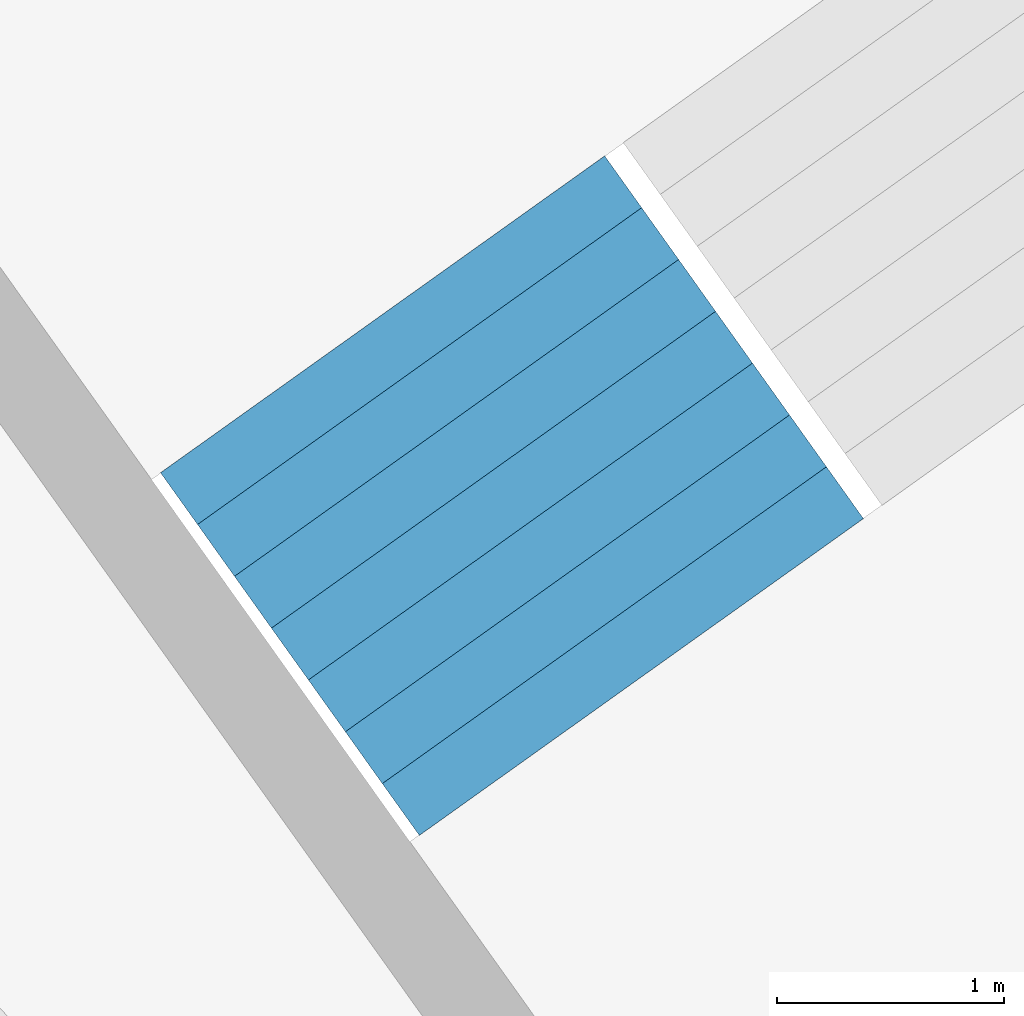
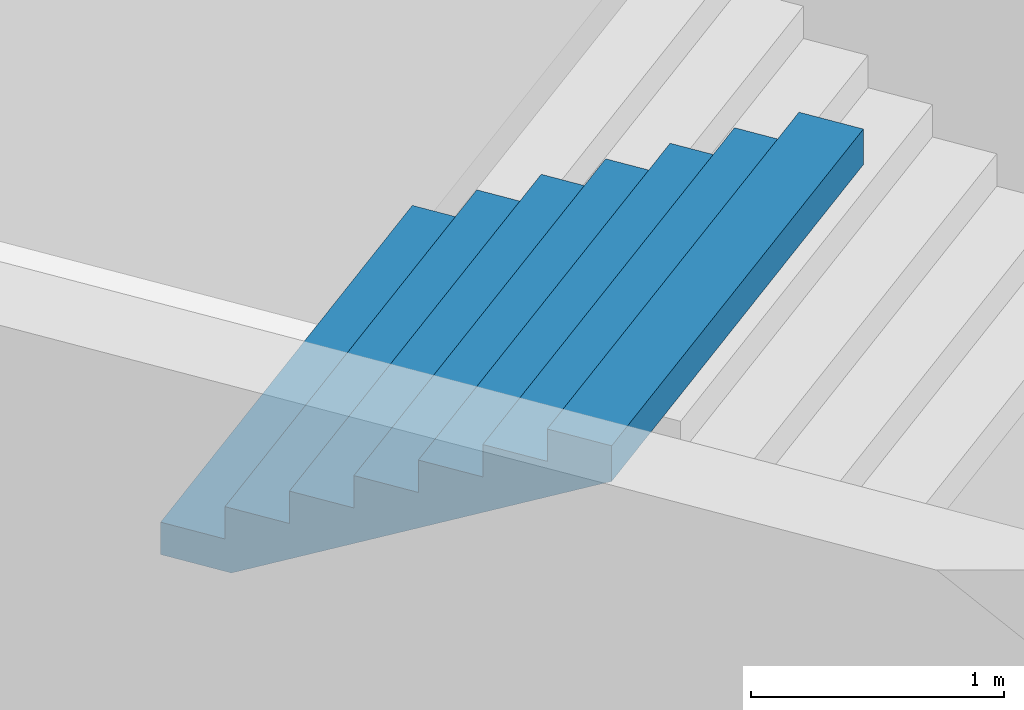
# One storey, part 42 of 73: 1 stair flight, 1 element without a shape of its own.
"""IFC4 building model written with IfcOpenShell, lengths in metres."""

import ifcopenshell
import ifcopenshell.guid

model = None  # the IFC model being written
_history = None  # IfcOwnerHistory: only IFC2X3 demands one
_inside = {}  # id of a spatial element -> (the spatial element, [elements in it])
_under = {}  # id of a project, library or spatial element -> (it, [spatial elements below it])
_declared = {}  # id of a project -> (the project, [libraries it declares])
_typed = {}  # id of a type object -> (the type object, [elements of that type])
_made_of = {}  # id of a material, layer set ... -> (it, [elements and type objects made of it])


def new_model(schema):
    """Start an empty IFC model of exactly this schema.

    Asked for "IFC4X3", IfcOpenShell would pick the latest addendum, in which some entities
    have other attributes; the version numbers below select the first issue.
    IFC2X3 requires an IfcOwnerHistory on every rooted entity: one is made here for all.
    """
    global model, _history
    if schema == "IFC4X3":
        model = ifcopenshell.file(schema_version=(4, 3, 0, 0))
    else:
        model = ifcopenshell.file(schema=schema)
    _inside.clear()
    _under.clear()
    _declared.clear()
    _typed.clear()
    _made_of.clear()
    _history = None
    if model.schema == "IFC2X3":
        org = make("IfcOrganization", Name="unknown")
        user = make(
            "IfcPersonAndOrganization",
            ThePerson=make("IfcPerson", FamilyName="unknown"),
            TheOrganization=org,
        )
        app = make(
            "IfcApplication",
            ApplicationDeveloper=org,
            Version="unknown",
            ApplicationFullName="unknown",
            ApplicationIdentifier="unknown",
        )
        _history = make(
            "IfcOwnerHistory",
            OwningUser=user,
            OwningApplication=app,
            ChangeAction="ADDED",
            CreationDate=0,
        )
    return model


def make(cls, **values):
    """One entity of the class cls with the attributes given. An attribute that is None is left unset."""
    return model.create_entity(
        cls, **{name: value for name, value in values.items() if value is not None}
    )


def rooted(cls, **values):
    """An entity with a GlobalId (a new one), such as an element, a storey or a relation."""
    return make(cls, GlobalId=ifcopenshell.guid.new(), OwnerHistory=_history, **values)


def si_unit(unit_type, name, prefix=None):
    """IfcSIUnit, for example si_unit("LENGTHUNIT", "METRE", prefix="MILLI")."""
    return make("IfcSIUnit", UnitType=unit_type, Prefix=prefix, Name=name)


def assignment(units):
    """IfcUnitAssignment: the units of a project."""
    return None if units is None else make("IfcUnitAssignment", Units=units)


def point(xyz):
    """IfcCartesianPoint."""
    return None if xyz is None else make("IfcCartesianPoint", Coordinates=xyz)


def direction(xyz):
    """IfcDirection."""
    return None if xyz is None else make("IfcDirection", DirectionRatios=xyz)


def frame(location, z_axis=None, x_axis=None):
    """IfcAxis2Placement3D, a coordinate frame: its origin and axes. An axis left out is left unset."""
    return make(
        "IfcAxis2Placement3D",
        Location=point(location),
        Axis=direction(z_axis),
        RefDirection=direction(x_axis),
    )


def origin():
    """The frame at (0, 0, 0) with its axes left unset."""
    return frame((0.0, 0.0, 0.0))


def place(relative_to, where):
    """IfcLocalPlacement: puts the frame where relative to a parent placement (None: the world)."""
    return make(
        "IfcLocalPlacement", PlacementRelTo=relative_to, RelativePlacement=where
    )


def context(
    kind, dimensions, precision=None, world=None, true_north=None, identifier=None
):
    """IfcGeometricRepresentationContext, for example the 3D "Model" context."""
    return make(
        "IfcGeometricRepresentationContext",
        ContextIdentifier=identifier,
        ContextType=kind,
        CoordinateSpaceDimension=dimensions,
        Precision=precision,
        WorldCoordinateSystem=world,
        TrueNorth=true_north,
    )


def subcontext(parent, identifier, kind, view, scale=None):
    """IfcGeometricRepresentationSubContext, for example "Body" below "Model"."""
    return make(
        "IfcGeometricRepresentationSubContext",
        ContextIdentifier=identifier,
        ContextType=kind,
        ParentContext=parent,
        TargetScale=scale,
        TargetView=view,
    )


def project(units=None, contexts=None):
    """IfcProject with its units and contexts."""
    return rooted(
        "IfcProject",
        Name="project",
        RepresentationContexts=contexts,
        UnitsInContext=assignment(units),
    )


def spatial(cls, under=None, at=None, **own):
    """A site, building, storey or space (cls), placed at a placement, below another one or the project."""
    s = rooted(cls, ObjectPlacement=at, **own)
    if under is not None:
        _under.setdefault(under.id(), (under, []))[1].append(s)
    return s


def point_list(points):
    """IfcCartesianPointList2D or 3D."""
    cls = (
        "IfcCartesianPointList2D" if len(points[0]) == 2 else "IfcCartesianPointList3D"
    )
    return make(cls, CoordList=points)


def triangles(points, corners, closed=None, point_numbers=None):
    """IfcTriangulatedFaceSet: each triangle names its three corners, points numbered from 1."""
    return make(
        "IfcTriangulatedFaceSet",
        Coordinates=point_list(points),
        Closed=closed,
        CoordIndex=corners,
        PnIndex=point_numbers,
    )


def shape(context_of_items, identifier, shape_type, items):
    """IfcShapeRepresentation: the items that make up one representation, for example the "Body"."""
    return make(
        "IfcShapeRepresentation",
        ContextOfItems=context_of_items,
        RepresentationIdentifier=identifier,
        RepresentationType=shape_type,
        Items=items,
    )


def material(Name=None, Category=None):
    """IfcMaterial."""
    return make("IfcMaterial", Name=Name, Category=Category)


def made_of(thing, what):
    """Note that an element or type object is made of a material, layer set ...; save() writes the relation."""
    if what is not None:
        _made_of.setdefault(what.id(), (what, []))[1].append(thing)
    return thing


def type_object(cls, material=None, **own):
    """A type object (cls), such as IfcWallType, which elements share."""
    return made_of(rooted(cls, **own), material)


def element(
    cls,
    number,
    at=None,
    inside=None,
    cuts=None,
    type_object=None,
    material=None,
    context=None,
    identifier="Body",
    shape_type=None,
    held_by="IfcProductDefinitionShape",
    body=None,
    shapes=None,
    **own,
):
    """One element of the class cls, such as IfcWall. Its Tag is "e" and its number.

    at: its placement. inside: the storey or other place that contains it. cuts: it is an
    opening in that element (IfcRelVoidsElement). A single representation is given by context,
    identifier, shape_type and body (its items); several are given by shapes. held_by: the class
    of the entity that holds the representations. save() writes the other relations.
    """
    e = rooted(cls, Tag="e%d" % number, ObjectPlacement=at, **own)
    if body is not None:
        shapes = [shape(context, identifier, shape_type, body)]
    if shapes is not None:
        e.Representation = make(held_by, Representations=shapes)
    if inside is not None:
        _inside.setdefault(inside.id(), (inside, []))[1].append(e)
    if cuts is not None:
        rooted(
            "IfcRelVoidsElement", RelatingBuildingElement=cuts, RelatedOpeningElement=e
        )
    if type_object is not None:
        _typed.setdefault(type_object.id(), (type_object, []))[1].append(e)
    return made_of(e, material)


def aggregate(whole, parts):
    """IfcRelAggregates: a whole, such as a stair, and the parts it consists of."""
    return rooted("IfcRelAggregates", RelatingObject=whole, RelatedObjects=parts)


def save(model, path):
    """Write the relations noted so far, then the file.

    IfcRelAggregates (storeys below a building ...), IfcRelContainedInSpatialStructure (elements
    in a storey), IfcRelDefinesByType, IfcRelAssociatesMaterial and IfcRelDeclares: one each for
    every whole, place, type object, material and project.
    """
    for whole, parts in _under.values():
        aggregate(whole, parts)
    for where, things in _inside.values():
        rooted(
            "IfcRelContainedInSpatialStructure",
            RelatedElements=things,
            RelatingStructure=where,
        )
    for kind, things in _typed.values():
        rooted("IfcRelDefinesByType", RelatedObjects=things, RelatingType=kind)
    for what, things in _made_of.values():
        rooted("IfcRelAssociatesMaterial", RelatedObjects=things, RelatingMaterial=what)
    for by, libraries in _declared.values():
        rooted("IfcRelDeclares", RelatingContext=by, RelatedDefinitions=libraries)
    model.write(path)


model = new_model("IFC4")

# Units and contexts
model_context = context("Model", 3, precision=1e-05, world=origin(), true_north=direction((0.0, 1.0)))
body_context = subcontext(model_context, "Body", "Model", "MODEL_VIEW")
ifc_project = project(units=[si_unit("LENGTHUNIT", "METRE"), si_unit("AREAUNIT", "SQUARE_METRE"), si_unit("VOLUMEUNIT", "CUBIC_METRE"), si_unit("PLANEANGLEUNIT", "RADIAN"), si_unit("MASSUNIT", "GRAM", prefix="KILO")], contexts=[model_context])

# Site, building, storey
site_placement = place(None, origin())
site = spatial("IfcSite", under=ifc_project, at=site_placement, CompositionType="ELEMENT")
building_placement = place(site_placement, origin())
building = spatial("IfcBuilding", under=site, at=building_placement, Name="Lantaw Convention Tower", CompositionType="ELEMENT")
storey_placement = place(building_placement, frame((0.0, 0.0, 22.0)))
storey = spatial("IfcBuildingStorey", under=building, at=storey_placement, Name="L03", CompositionType="ELEMENT", Elevation=22.0)

# Stair, stair flight
ifc_material = material(Name="Concrete C35/45", Category="concrete")
stair_type = type_object("IfcStairType", Name="Exit stair 2400 riser 156.25 in 4 flights", PredefinedType="HALF_TURN_STAIR", material=ifc_material)
stair_placement = place(storey_placement, origin())
stair = element("IfcStair", 1, at=stair_placement, inside=storey, type_object=stair_type, Name="Podium exit stair P6 L03", PredefinedType="HALF_TURN_STAIR")
stair_flight_type = type_object("IfcStairFlightType", Name="Stair flight 2400 riser 156.25", PredefinedType="STRAIGHT", material=ifc_material)
stair_flight_placement = place(storey_placement, frame((-20.143798828125, 26.087890625, 3.75), z_axis=(0.0, 0.0, 1.0), x_axis=(0.580702955711, -0.814115518356, 0.0)))
stair_flight = element("IfcStairFlight", 2, at=stair_flight_placement, type_object=stair_flight_type, Name="P6 flight 4", NumberOfRisers=8, NumberOfTreads=7, PredefinedType="STRAIGHT", RiserHeight=0.15625, TreadLength=0.28, context=body_context, shape_type="Tessellation", body=[
    triangles([(0.0, 1.199951171875, 0.0), (0.0, 1.199951171875, 0.15625), (0.28, 1.199951171875, 0.0), (0.28, 1.199951171875, 0.15625), (0.28, 1.199951171875, 0.3125), (0.3076200632058044, 1.199951171875, 0.0), (0.3076200632058044, 1.199951171875, 0.3125), (0.56, 1.199951171875, 0.14083701830033238), (0.56, 1.199951171875, 0.3125), (0.56, 1.199951171875, 0.46875), (0.8400000000000001, 1.199951171875, 0.29708701830033235), (0.8400000000000001, 1.199951171875, 0.46875), (0.8400000000000001, 1.199951171875, 0.625), (1.12, 1.199951171875, 0.45333701830033235), (1.12, 1.199951171875, 0.625), (1.12, 1.199951171875, 0.78125), (1.4000000000000001, 1.199951171875, 0.6095870183003324), (1.4000000000000001, 1.199951171875, 0.78125), (1.4000000000000001, 1.199951171875, 0.9375), (1.6800000000000002, 1.199951171875, 0.7658370183003324), (1.6800000000000002, 1.199951171875, 0.9375), (1.6800000000000002, 1.199951171875, 1.09375), (1.9600000000000002, 1.199951171875, 0.9220870183003324), (1.9600000000000002, 1.199951171875, 1.09375), (0.0, -1.199951171875, 0.0), (0.0, -1.199951171875, 0.15625), (0.28, -1.199951171875, 0.0), (0.28, -1.199951171875, 0.15625), (0.28, -1.199951171875, 0.3125), (0.3076200632058044, -1.199951171875, 0.0), (0.3076200632058044, -1.199951171875, 0.3125), (0.56, -1.199951171875, 0.14083701830033238), (0.56, -1.199951171875, 0.3125), (0.56, -1.199951171875, 0.46875), (0.8400000000000001, -1.199951171875, 0.29708701830033235), (0.8400000000000001, -1.199951171875, 0.46875), (0.8400000000000001, -1.199951171875, 0.625), (1.12, -1.199951171875, 0.45333701830033235), (1.12, -1.199951171875, 0.625), (1.12, -1.199951171875, 0.78125), (1.4000000000000001, -1.199951171875, 0.6095870183003324), (1.4000000000000001, -1.199951171875, 0.78125), (1.4000000000000001, -1.199951171875, 0.9375), (1.6800000000000002, -1.199951171875, 0.7658370183003324), (1.6800000000000002, -1.199951171875, 0.9375), (1.6800000000000002, -1.199951171875, 1.09375), (1.9600000000000002, -1.199951171875, 0.9220870183003324), (1.9600000000000002, -1.199951171875, 1.09375), (0.0, 0.239990234375, 0.15625), (0.0, 0.239990234375, 0.0), (0.0, 0.1919921875, 0.15625), (0.0, 0.1919921875, 0.0), (0.0, 0.143994140625, 0.15625), (0.0, 0.143994140625, 0.0), (0.0, 0.09599609375, 0.15625), (0.0, 0.09599609375, 0.0), (0.0, 0.047998046875, 0.15625), (0.0, 0.047998046875, 0.0), (0.0, 0.0, 0.15625), (0.0, 0.0, 0.0), (0.0, -0.047998046875, 0.15625), (0.0, -0.047998046875, 0.0), (0.0, -0.09599609375, 0.15625), (0.0, -0.09599609375, 0.0), (0.0, -0.143994140625, 0.15625), (0.0, -0.143994140625, 0.0), (0.0, -0.1919921875, 0.15625), (0.0, -0.1919921875, 0.0), (0.0, -0.239990234375, 0.15625), (0.0, -0.239990234375, 0.0), (0.28, 0.239990234375, 0.3125), (0.28, 0.239990234375, 0.15625), (0.28, 0.1919921875, 0.3125), (0.28, 0.1919921875, 0.15625), (0.28, 0.143994140625, 0.3125), (0.28, 0.143994140625, 0.15625), (0.28, 0.09599609375, 0.3125), (0.28, 0.09599609375, 0.15625), (0.28, 0.047998046875, 0.3125), (0.28, 0.047998046875, 0.15625), (0.28, 0.0, 0.3125), (0.28, 0.0, 0.15625), (0.28, -0.047998046875, 0.3125), (0.28, -0.047998046875, 0.15625), (0.28, -0.09599609375, 0.3125), (0.28, -0.09599609375, 0.15625), (0.28, -0.143994140625, 0.3125), (0.28, -0.143994140625, 0.15625), (0.28, -0.1919921875, 0.3125), (0.28, -0.1919921875, 0.15625), (0.28, -0.239990234375, 0.3125), (0.28, -0.239990234375, 0.15625), (0.56, 0.239990234375, 0.46875), (0.56, 0.239990234375, 0.3125), (0.56, 0.1919921875, 0.46875), (0.56, 0.1919921875, 0.3125), (0.56, 0.143994140625, 0.46875), (0.56, 0.143994140625, 0.3125), (0.56, 0.09599609375, 0.46875), (0.56, 0.09599609375, 0.3125), (0.56, 0.047998046875, 0.46875), (0.56, 0.047998046875, 0.3125), (0.56, 0.0, 0.46875), (0.56, 0.0, 0.3125), (0.56, -0.047998046875, 0.46875), (0.56, -0.047998046875, 0.3125), (0.56, -0.09599609375, 0.46875), (0.56, -0.09599609375, 0.3125), (0.56, -0.143994140625, 0.46875), (0.56, -0.143994140625, 0.3125), (0.56, -0.1919921875, 0.46875), (0.56, -0.1919921875, 0.3125), (0.56, -0.239990234375, 0.46875), (0.56, -0.239990234375, 0.3125), (0.8400000000000001, 0.239990234375, 0.625), (0.8400000000000001, 0.239990234375, 0.46875), (0.8400000000000001, 0.1919921875, 0.625), (0.8400000000000001, 0.1919921875, 0.46875), (0.8400000000000001, 0.143994140625, 0.625), (0.8400000000000001, 0.143994140625, 0.46875), (0.8400000000000001, 0.09599609375, 0.625), (0.8400000000000001, 0.09599609375, 0.46875), (0.8400000000000001, 0.047998046875, 0.625), (0.8400000000000001, 0.047998046875, 0.46875), (0.8400000000000001, 0.0, 0.625), (0.8400000000000001, 0.0, 0.46875), (0.8400000000000001, -0.047998046875, 0.625), (0.8400000000000001, -0.047998046875, 0.46875), (0.8400000000000001, -0.09599609375, 0.625), (0.8400000000000001, -0.09599609375, 0.46875), (0.8400000000000001, -0.143994140625, 0.625), (0.8400000000000001, -0.143994140625, 0.46875), (0.8400000000000001, -0.1919921875, 0.625), (0.8400000000000001, -0.1919921875, 0.46875), (0.8400000000000001, -0.239990234375, 0.625), (0.8400000000000001, -0.239990234375, 0.46875), (1.12, 0.239990234375, 0.78125), (1.12, 0.239990234375, 0.625), (1.12, 0.1919921875, 0.78125), (1.12, 0.1919921875, 0.625), (1.12, 0.143994140625, 0.78125), (1.12, 0.143994140625, 0.625), (1.12, 0.09599609375, 0.78125), (1.12, 0.09599609375, 0.625), (1.12, 0.047998046875, 0.78125), (1.12, 0.047998046875, 0.625), (1.12, 0.0, 0.78125), (1.12, 0.0, 0.625), (1.12, -0.047998046875, 0.78125), (1.12, -0.047998046875, 0.625), (1.12, -0.09599609375, 0.78125), (1.12, -0.09599609375, 0.625), (1.12, -0.143994140625, 0.78125), (1.12, -0.143994140625, 0.625), (1.12, -0.1919921875, 0.78125), (1.12, -0.1919921875, 0.625), (1.12, -0.239990234375, 0.78125), (1.12, -0.239990234375, 0.625), (1.4000000000000001, 0.239990234375, 0.9375), (1.4000000000000001, 0.239990234375, 0.78125), (1.4000000000000001, 0.1919921875, 0.9375), (1.4000000000000001, 0.1919921875, 0.78125), (1.4000000000000001, 0.143994140625, 0.9375), (1.4000000000000001, 0.143994140625, 0.78125), (1.4000000000000001, 0.09599609375, 0.9375), (1.4000000000000001, 0.09599609375, 0.78125), (1.4000000000000001, 0.047998046875, 0.9375), (1.4000000000000001, 0.047998046875, 0.78125), (1.4000000000000001, 0.0, 0.9375), (1.4000000000000001, 0.0, 0.78125), (1.4000000000000001, -0.047998046875, 0.9375), (1.4000000000000001, -0.047998046875, 0.78125), (1.4000000000000001, -0.09599609375, 0.9375), (1.4000000000000001, -0.09599609375, 0.78125), (1.4000000000000001, -0.143994140625, 0.9375), (1.4000000000000001, -0.143994140625, 0.78125), (1.4000000000000001, -0.1919921875, 0.9375), (1.4000000000000001, -0.1919921875, 0.78125), (1.4000000000000001, -0.239990234375, 0.9375), (1.4000000000000001, -0.239990234375, 0.78125), (1.6800000000000002, 0.239990234375, 1.09375), (1.6800000000000002, 0.239990234375, 0.9375), (1.6800000000000002, 0.1919921875, 1.09375), (1.6800000000000002, 0.1919921875, 0.9375), (1.6800000000000002, 0.143994140625, 1.09375), (1.6800000000000002, 0.143994140625, 0.9375), (1.6800000000000002, 0.09599609375, 1.09375), (1.6800000000000002, 0.09599609375, 0.9375), (1.6800000000000002, 0.047998046875, 1.09375), (1.6800000000000002, 0.047998046875, 0.9375), (1.6800000000000002, 0.0, 1.09375), (1.6800000000000002, 0.0, 0.9375), (1.6800000000000002, -0.047998046875, 1.09375), (1.6800000000000002, -0.047998046875, 0.9375), (1.6800000000000002, -0.09599609375, 1.09375), (1.6800000000000002, -0.09599609375, 0.9375), (1.6800000000000002, -0.143994140625, 1.09375), (1.6800000000000002, -0.143994140625, 0.9375), (1.6800000000000002, -0.1919921875, 1.09375), (1.6800000000000002, -0.1919921875, 0.9375), (1.6800000000000002, -0.239990234375, 1.09375), (1.6800000000000002, -0.239990234375, 0.9375), (0.3076200632058044, 0.239990234375, 0.3125), (0.3076200632058044, 0.1919921875, 0.3125), (0.3076200632058044, 0.143994140625, 0.3125), (0.3076200632058044, 0.09599609375, 0.3125), (0.3076200632058044, 0.047998046875, 0.3125), (0.3076200632058044, 0.0, 0.3125), (0.3076200632058044, -0.047998046875, 0.3125), (0.3076200632058044, -0.09599609375, 0.3125), (0.3076200632058044, -0.143994140625, 0.3125), (0.3076200632058044, -0.1919921875, 0.3125), (0.3076200632058044, -0.239990234375, 0.3125), (1.9600000000000002, 0.239990234375, 1.09375), (1.9600000000000002, 0.1919921875, 1.09375), (1.9600000000000002, 0.143994140625, 1.09375), (1.9600000000000002, 0.09599609375, 1.09375), (1.9600000000000002, 0.047998046875, 1.09375), (1.9600000000000002, 0.0, 1.09375), (1.9600000000000002, -0.047998046875, 1.09375), (1.9600000000000002, -0.09599609375, 1.09375), (1.9600000000000002, -0.143994140625, 1.09375), (1.9600000000000002, -0.1919921875, 1.09375), (1.9600000000000002, -0.239990234375, 1.09375), (1.9600000000000002, 0.239990234375, 0.9220870183003324), (1.9600000000000002, 0.1919921875, 0.9220870183003324), (1.9600000000000002, 0.143994140625, 0.9220870183003324), (1.9600000000000002, 0.09599609375, 0.9220870183003324), (1.9600000000000002, 0.047998046875, 0.9220870183003324), (1.9600000000000002, 0.0, 0.9220870183003324), (1.9600000000000002, -0.047998046875, 0.9220870183003324), (1.9600000000000002, -0.09599609375, 0.9220870183003324), (1.9600000000000002, -0.143994140625, 0.9220870183003324), (1.9600000000000002, -0.1919921875, 0.9220870183003324), (1.9600000000000002, -0.239990234375, 0.9220870183003324), (1.6800000000000002, 0.239990234375, 0.7658370183003324), (1.6800000000000002, 0.1919921875, 0.7658370183003324), (1.6800000000000002, 0.143994140625, 0.7658370183003324), (1.6800000000000002, 0.09599609375, 0.7658370183003324), (1.6800000000000002, 0.047998046875, 0.7658370183003324), (1.6800000000000002, 0.0, 0.7658370183003324), (1.6800000000000002, -0.047998046875, 0.7658370183003324), (1.6800000000000002, -0.09599609375, 0.7658370183003324), (1.6800000000000002, -0.143994140625, 0.7658370183003324), (1.6800000000000002, -0.1919921875, 0.7658370183003324), (1.6800000000000002, -0.239990234375, 0.7658370183003324), (1.4000000000000001, 0.239990234375, 0.6095870183003324), (1.4000000000000001, 0.1919921875, 0.6095870183003324), (1.4000000000000001, 0.143994140625, 0.6095870183003324), (1.4000000000000001, 0.09599609375, 0.6095870183003324), (1.4000000000000001, 0.047998046875, 0.6095870183003324), (1.4000000000000001, 0.0, 0.6095870183003324), (1.4000000000000001, -0.047998046875, 0.6095870183003324), (1.4000000000000001, -0.09599609375, 0.6095870183003324), (1.4000000000000001, -0.143994140625, 0.6095870183003324), (1.4000000000000001, -0.1919921875, 0.6095870183003324), (1.4000000000000001, -0.239990234375, 0.6095870183003324), (1.12, 0.239990234375, 0.45333701830033235), (1.12, 0.1919921875, 0.45333701830033235), (1.12, 0.143994140625, 0.45333701830033235), (1.12, 0.09599609375, 0.45333701830033235), (1.12, 0.047998046875, 0.45333701830033235), (1.12, 0.0, 0.45333701830033235), (1.12, -0.047998046875, 0.45333701830033235), (1.12, -0.09599609375, 0.45333701830033235), (1.12, -0.143994140625, 0.45333701830033235), (1.12, -0.1919921875, 0.45333701830033235), (1.12, -0.239990234375, 0.45333701830033235), (0.8400000000000001, 0.239990234375, 0.29708701830033235), (0.8400000000000001, 0.1919921875, 0.29708701830033235), (0.8400000000000001, 0.143994140625, 0.29708701830033235), (0.8400000000000001, 0.09599609375, 0.29708701830033235), (0.8400000000000001, 0.047998046875, 0.29708701830033235), (0.8400000000000001, 0.0, 0.29708701830033235), (0.8400000000000001, -0.047998046875, 0.29708701830033235), (0.8400000000000001, -0.09599609375, 0.29708701830033235), (0.8400000000000001, -0.143994140625, 0.29708701830033235), (0.8400000000000001, -0.1919921875, 0.29708701830033235), (0.8400000000000001, -0.239990234375, 0.29708701830033235), (0.56, 0.239990234375, 0.14083701830033238), (0.56, 0.1919921875, 0.14083701830033238), (0.56, 0.143994140625, 0.14083701830033238), (0.56, 0.09599609375, 0.14083701830033238), (0.56, 0.047998046875, 0.14083701830033238), (0.56, 0.0, 0.14083701830033238), (0.56, -0.047998046875, 0.14083701830033238), (0.56, -0.09599609375, 0.14083701830033238), (0.56, -0.143994140625, 0.14083701830033238), (0.56, -0.1919921875, 0.14083701830033238), (0.56, -0.239990234375, 0.14083701830033238), (0.3076200632058044, 0.239990234375, 0.0), (0.3076200632058044, 0.1919921875, 0.0), (0.3076200632058044, 0.143994140625, 0.0), (0.3076200632058044, 0.09599609375, 0.0), (0.3076200632058044, 0.047998046875, 0.0), (0.3076200632058044, 0.0, 0.0), (0.3076200632058044, -0.047998046875, 0.0), (0.3076200632058044, -0.09599609375, 0.0), (0.3076200632058044, -0.143994140625, 0.0), (0.3076200632058044, -0.1919921875, 0.0), (0.3076200632058044, -0.239990234375, 0.0), (0.28, 0.239990234375, 0.0), (0.28, 0.1919921875, 0.0), (0.28, 0.143994140625, 0.0), (0.28, 0.09599609375, 0.0), (0.28, 0.047998046875, 0.0), (0.28, 0.0, 0.0), (0.28, -0.047998046875, 0.0), (0.28, -0.09599609375, 0.0), (0.28, -0.143994140625, 0.0), (0.28, -0.1919921875, 0.0), (0.28, -0.239990234375, 0.0)], [[1, 4, 3], [1, 2, 4], [3, 4, 6], [4, 7, 6], [4, 5, 7], [6, 9, 8], [6, 7, 9], [8, 9, 11], [9, 12, 11], [9, 10, 12], [11, 12, 14], [12, 15, 14], [12, 13, 15], [14, 15, 17], [15, 18, 17], [15, 16, 18], [17, 18, 20], [18, 21, 20], [18, 19, 21], [20, 21, 23], [21, 24, 23], [21, 22, 24], [25, 27, 28], [25, 28, 26], [27, 30, 28], [28, 30, 31], [28, 31, 29], [30, 32, 33], [30, 33, 31], [32, 35, 33], [33, 35, 36], [33, 36, 34], [35, 38, 36], [36, 38, 39], [36, 39, 37], [38, 41, 39], [39, 41, 42], [39, 42, 40], [41, 44, 42], [42, 44, 45], [42, 45, 43], [44, 47, 45], [45, 47, 48], [45, 48, 46], [1, 49, 2], [1, 50, 49], [50, 51, 49], [50, 52, 51], [52, 53, 51], [52, 54, 53], [54, 55, 53], [54, 56, 55], [56, 57, 55], [56, 58, 57], [58, 59, 57], [58, 60, 59], [60, 61, 59], [60, 62, 61], [62, 63, 61], [62, 64, 63], [64, 65, 63], [64, 66, 65], [66, 67, 65], [66, 68, 67], [68, 69, 67], [68, 70, 69], [70, 26, 69], [70, 25, 26], [4, 71, 5], [4, 72, 71], [72, 73, 71], [72, 74, 73], [74, 75, 73], [74, 76, 75], [76, 77, 75], [76, 78, 77], [78, 79, 77], [78, 80, 79], [80, 81, 79], [80, 82, 81], [82, 83, 81], [82, 84, 83], [84, 85, 83], [84, 86, 85], [86, 87, 85], [86, 88, 87], [88, 89, 87], [88, 90, 89], [90, 91, 89], [90, 92, 91], [92, 29, 91], [92, 28, 29], [9, 93, 10], [9, 94, 93], [94, 95, 93], [94, 96, 95], [96, 97, 95], [96, 98, 97], [98, 99, 97], [98, 100, 99], [100, 101, 99], [100, 102, 101], [102, 103, 101], [102, 104, 103], [104, 105, 103], [104, 106, 105], [106, 107, 105], [106, 108, 107], [108, 109, 107], [108, 110, 109], [110, 111, 109], [110, 112, 111], [112, 113, 111], [112, 114, 113], [114, 34, 113], [114, 33, 34], [12, 115, 13], [12, 116, 115], [116, 117, 115], [116, 118, 117], [118, 119, 117], [118, 120, 119], [120, 121, 119], [120, 122, 121], [122, 123, 121], [122, 124, 123], [124, 125, 123], [124, 126, 125], [126, 127, 125], [126, 128, 127], [128, 129, 127], [128, 130, 129], [130, 131, 129], [130, 132, 131], [132, 133, 131], [132, 134, 133], [134, 135, 133], [134, 136, 135], [136, 37, 135], [136, 36, 37], [15, 137, 16], [15, 138, 137], [138, 139, 137], [138, 140, 139], [140, 141, 139], [140, 142, 141], [142, 143, 141], [142, 144, 143], [144, 145, 143], [144, 146, 145], [146, 147, 145], [146, 148, 147], [148, 149, 147], [148, 150, 149], [150, 151, 149], [150, 152, 151], [152, 153, 151], [152, 154, 153], [154, 155, 153], [154, 156, 155], [156, 157, 155], [156, 158, 157], [158, 40, 157], [158, 39, 40], [18, 159, 19], [18, 160, 159], [160, 161, 159], [160, 162, 161], [162, 163, 161], [162, 164, 163], [164, 165, 163], [164, 166, 165], [166, 167, 165], [166, 168, 167], [168, 169, 167], [168, 170, 169], [170, 171, 169], [170, 172, 171], [172, 173, 171], [172, 174, 173], [174, 175, 173], [174, 176, 175], [176, 177, 175], [176, 178, 177], [178, 179, 177], [178, 180, 179], [180, 43, 179], [180, 42, 43], [21, 181, 22], [21, 182, 181], [182, 183, 181], [182, 184, 183], [184, 185, 183], [184, 186, 185], [186, 187, 185], [186, 188, 187], [188, 189, 187], [188, 190, 189], [190, 191, 189], [190, 192, 191], [192, 193, 191], [192, 194, 193], [194, 195, 193], [194, 196, 195], [196, 197, 195], [196, 198, 197], [198, 199, 197], [198, 200, 199], [200, 201, 199], [200, 202, 201], [202, 46, 201], [202, 45, 46], [2, 72, 4], [2, 49, 72], [49, 74, 72], [49, 51, 74], [51, 76, 74], [51, 53, 76], [53, 78, 76], [53, 55, 78], [55, 80, 78], [55, 57, 80], [57, 82, 80], [57, 59, 82], [59, 84, 82], [59, 61, 84], [61, 86, 84], [61, 63, 86], [63, 88, 86], [63, 65, 88], [65, 90, 88], [65, 67, 90], [67, 92, 90], [67, 69, 92], [69, 28, 92], [69, 26, 28], [5, 203, 7], [5, 71, 203], [71, 204, 203], [71, 73, 204], [73, 205, 204], [73, 75, 205], [75, 206, 205], [75, 77, 206], [77, 207, 206], [77, 79, 207], [79, 208, 207], [79, 81, 208], [81, 209, 208], [81, 83, 209], [83, 210, 209], [83, 85, 210], [85, 211, 210], [85, 87, 211], [87, 212, 211], [87, 89, 212], [89, 213, 212], [89, 91, 213], [91, 31, 213], [91, 29, 31], [7, 94, 9], [7, 203, 94], [203, 96, 94], [203, 204, 96], [204, 98, 96], [204, 205, 98], [205, 100, 98], [205, 206, 100], [206, 102, 100], [206, 207, 102], [207, 104, 102], [207, 208, 104], [208, 106, 104], [208, 209, 106], [209, 108, 106], [209, 210, 108], [210, 110, 108], [210, 211, 110], [211, 112, 110], [211, 212, 112], [212, 114, 112], [212, 213, 114], [213, 33, 114], [213, 31, 33], [10, 116, 12], [10, 93, 116], [93, 118, 116], [93, 95, 118], [95, 120, 118], [95, 97, 120], [97, 122, 120], [97, 99, 122], [99, 124, 122], [99, 101, 124], [101, 126, 124], [101, 103, 126], [103, 128, 126], [103, 105, 128], [105, 130, 128], [105, 107, 130], [107, 132, 130], [107, 109, 132], [109, 134, 132], [109, 111, 134], [111, 136, 134], [111, 113, 136], [113, 36, 136], [113, 34, 36], [13, 138, 15], [13, 115, 138], [115, 140, 138], [115, 117, 140], [117, 142, 140], [117, 119, 142], [119, 144, 142], [119, 121, 144], [121, 146, 144], [121, 123, 146], [123, 148, 146], [123, 125, 148], [125, 150, 148], [125, 127, 150], [127, 152, 150], [127, 129, 152], [129, 154, 152], [129, 131, 154], [131, 156, 154], [131, 133, 156], [133, 158, 156], [133, 135, 158], [135, 39, 158], [135, 37, 39], [16, 160, 18], [16, 137, 160], [137, 162, 160], [137, 139, 162], [139, 164, 162], [139, 141, 164], [141, 166, 164], [141, 143, 166], [143, 168, 166], [143, 145, 168], [145, 170, 168], [145, 147, 170], [147, 172, 170], [147, 149, 172], [149, 174, 172], [149, 151, 174], [151, 176, 174], [151, 153, 176], [153, 178, 176], [153, 155, 178], [155, 180, 178], [155, 157, 180], [157, 42, 180], [157, 40, 42], [19, 182, 21], [19, 159, 182], [159, 184, 182], [159, 161, 184], [161, 186, 184], [161, 163, 186], [163, 188, 186], [163, 165, 188], [165, 190, 188], [165, 167, 190], [167, 192, 190], [167, 169, 192], [169, 194, 192], [169, 171, 194], [171, 196, 194], [171, 173, 196], [173, 198, 196], [173, 175, 198], [175, 200, 198], [175, 177, 200], [177, 202, 200], [177, 179, 202], [179, 45, 202], [179, 43, 45], [22, 214, 24], [22, 181, 214], [181, 215, 214], [181, 183, 215], [183, 216, 215], [183, 185, 216], [185, 217, 216], [185, 187, 217], [187, 218, 217], [187, 189, 218], [189, 219, 218], [189, 191, 219], [191, 220, 219], [191, 193, 220], [193, 221, 220], [193, 195, 221], [195, 222, 221], [195, 197, 222], [197, 223, 222], [197, 199, 223], [199, 224, 223], [199, 201, 224], [201, 48, 224], [201, 46, 48], [24, 225, 23], [24, 214, 225], [214, 226, 225], [214, 215, 226], [215, 227, 226], [215, 216, 227], [216, 228, 227], [216, 217, 228], [217, 229, 228], [217, 218, 229], [218, 230, 229], [218, 219, 230], [219, 231, 230], [219, 220, 231], [220, 232, 231], [220, 221, 232], [221, 233, 232], [221, 222, 233], [222, 234, 233], [222, 223, 234], [223, 235, 234], [223, 224, 235], [224, 47, 235], [224, 48, 47], [23, 236, 20], [23, 225, 236], [225, 237, 236], [225, 226, 237], [226, 238, 237], [226, 227, 238], [227, 239, 238], [227, 228, 239], [228, 240, 239], [228, 229, 240], [229, 241, 240], [229, 230, 241], [230, 242, 241], [230, 231, 242], [231, 243, 242], [231, 232, 243], [232, 244, 243], [232, 233, 244], [233, 245, 244], [233, 234, 245], [234, 246, 245], [234, 235, 246], [235, 44, 246], [235, 47, 44], [20, 247, 17], [20, 236, 247], [236, 248, 247], [236, 237, 248], [237, 249, 248], [237, 238, 249], [238, 250, 249], [238, 239, 250], [239, 251, 250], [239, 240, 251], [240, 252, 251], [240, 241, 252], [241, 253, 252], [241, 242, 253], [242, 254, 253], [242, 243, 254], [243, 255, 254], [243, 244, 255], [244, 256, 255], [244, 245, 256], [245, 257, 256], [245, 246, 257], [246, 41, 257], [246, 44, 41], [17, 258, 14], [17, 247, 258], [247, 259, 258], [247, 248, 259], [248, 260, 259], [248, 249, 260], [249, 261, 260], [249, 250, 261], [250, 262, 261], [250, 251, 262], [251, 263, 262], [251, 252, 263], [252, 264, 263], [252, 253, 264], [253, 265, 264], [253, 254, 265], [254, 266, 265], [254, 255, 266], [255, 267, 266], [255, 256, 267], [256, 268, 267], [256, 257, 268], [257, 38, 268], [257, 41, 38], [14, 269, 11], [14, 258, 269], [258, 270, 269], [258, 259, 270], [259, 271, 270], [259, 260, 271], [260, 272, 271], [260, 261, 272], [261, 273, 272], [261, 262, 273], [262, 274, 273], [262, 263, 274], [263, 275, 274], [263, 264, 275], [264, 276, 275], [264, 265, 276], [265, 277, 276], [265, 266, 277], [266, 278, 277], [266, 267, 278], [267, 279, 278], [267, 268, 279], [268, 35, 279], [268, 38, 35], [11, 280, 8], [11, 269, 280], [269, 281, 280], [269, 270, 281], [270, 282, 281], [270, 271, 282], [271, 283, 282], [271, 272, 283], [272, 284, 283], [272, 273, 284], [273, 285, 284], [273, 274, 285], [274, 286, 285], [274, 275, 286], [275, 287, 286], [275, 276, 287], [276, 288, 287], [276, 277, 288], [277, 289, 288], [277, 278, 289], [278, 290, 289], [278, 279, 290], [279, 32, 290], [279, 35, 32], [8, 291, 6], [8, 280, 291], [280, 292, 291], [280, 281, 292], [281, 293, 292], [281, 282, 293], [282, 294, 293], [282, 283, 294], [283, 295, 294], [283, 284, 295], [284, 296, 295], [284, 285, 296], [285, 297, 296], [285, 286, 297], [286, 298, 297], [286, 287, 298], [287, 299, 298], [287, 288, 299], [288, 300, 299], [288, 289, 300], [289, 301, 300], [289, 290, 301], [290, 30, 301], [290, 32, 30], [6, 302, 3], [6, 291, 302], [291, 303, 302], [291, 292, 303], [292, 304, 303], [292, 293, 304], [293, 305, 304], [293, 294, 305], [294, 306, 305], [294, 295, 306], [295, 307, 306], [295, 296, 307], [296, 308, 307], [296, 297, 308], [297, 309, 308], [297, 298, 309], [298, 310, 309], [298, 299, 310], [299, 311, 310], [299, 300, 311], [300, 312, 311], [300, 301, 312], [301, 27, 312], [301, 30, 27], [3, 50, 1], [3, 302, 50], [302, 52, 50], [302, 303, 52], [303, 54, 52], [303, 304, 54], [304, 56, 54], [304, 305, 56], [305, 58, 56], [305, 306, 58], [306, 60, 58], [306, 307, 60], [307, 62, 60], [307, 308, 62], [308, 64, 62], [308, 309, 64], [309, 66, 64], [309, 310, 66], [310, 68, 66], [310, 311, 68], [311, 70, 68], [311, 312, 70], [312, 25, 70], [312, 27, 25]], closed=True),
])
aggregate(stair, [stair_flight])

save(model, "model.ifc")
